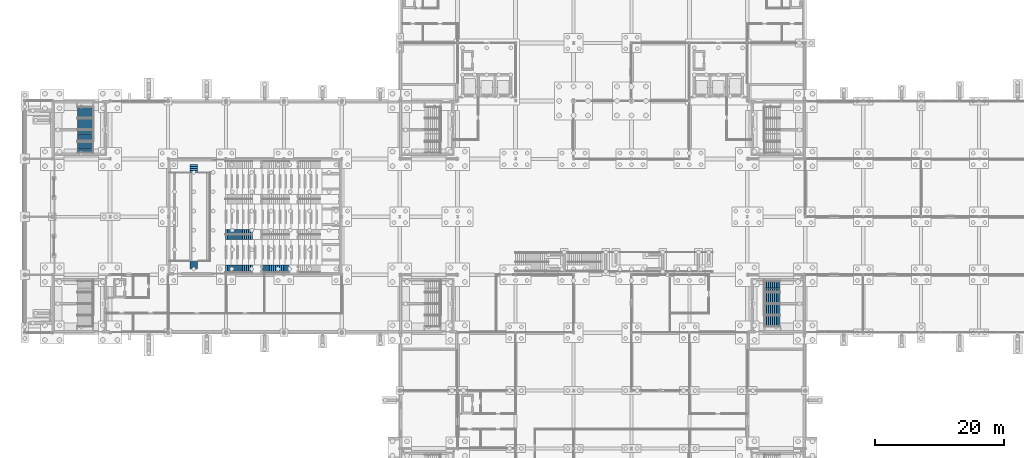
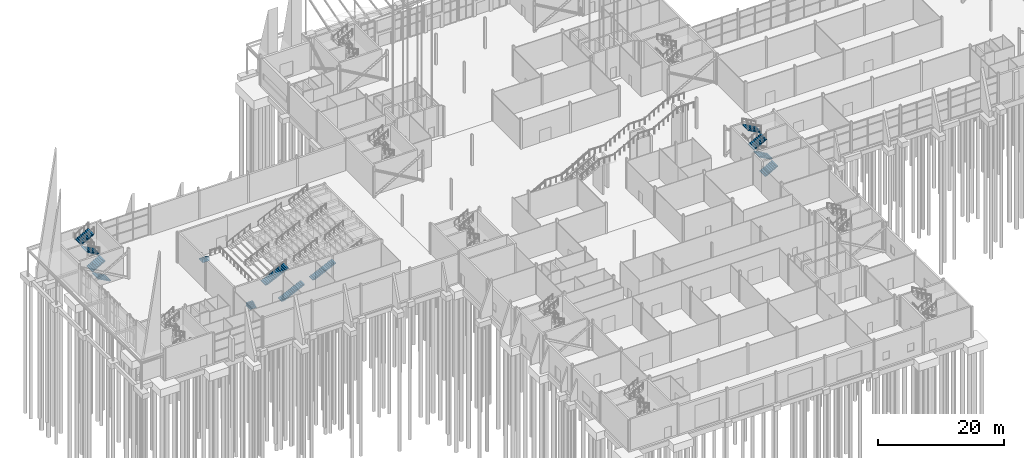
# One storey, part 116 of 139: 13 stair flights, 6 elements without a shape of their own.
"""IFC4 building model written with IfcOpenShell, lengths in metres."""

from ifc_helpers import new_model, si_unit, direction, frame, origin, place, context, subcontext, project, spatial, polyline, outline, extrude, material, type_object, element, aggregate, save


model = new_model("IFC4")

# Units and contexts
model_context = context("Model", 3, precision=1e-05, world=origin(), true_north=direction((0.0, 1.0)))
body_context = subcontext(model_context, "Body", "Model", "MODEL_VIEW")
ifc_project = project(units=[si_unit("LENGTHUNIT", "METRE"), si_unit("AREAUNIT", "SQUARE_METRE"), si_unit("VOLUMEUNIT", "CUBIC_METRE"), si_unit("PLANEANGLEUNIT", "RADIAN"), si_unit("MASSUNIT", "GRAM", prefix="KILO")], contexts=[model_context])

# Site, building, storey
site_placement = place(None, origin())
site = spatial("IfcSite", under=ifc_project, at=site_placement, CompositionType="ELEMENT")
building_placement = place(site_placement, origin())
building = spatial("IfcBuilding", under=site, at=building_placement, Name="Shorebreak Coast Museum", CompositionType="ELEMENT")
storey_placement = place(building_placement, origin())
storey = spatial("IfcBuildingStorey", under=building, at=storey_placement, Name="L00", CompositionType="ELEMENT", Elevation=0.0)

# Stair, stair flights
ifc_material_1 = material(Name="Concrete N40 (40 MPa)", Category="concrete")
stair_type_1 = type_object("IfcStairType", Name="Aisle stair 1200", PredefinedType="STRAIGHT_RUN_STAIR", material=ifc_material_1)
stair_1_placement = place(storey_placement, origin())
stair_1 = element("IfcStair", 1, at=stair_1_placement, inside=storey, type_object=stair_type_1, Name="Aisle stair 1", PredefinedType="STRAIGHT_RUN_STAIR")
ifc_material_2 = material(Name="Concrete N40 (40 MPa)", Category="concrete")
stair_flight_type_1 = type_object("IfcStairFlightType", Name="Aisle flight 1200 15 risers", PredefinedType="STRAIGHT", material=ifc_material_2)
stair_flight_1_placement = place(storey_placement, frame((26.89990234375, 63.89990234375, 0.0), z_axis=(0.0, 0.0, 1.0), x_axis=(1.0, 0.0, 0.0)))
stair_flight_1 = element("IfcStairFlight", 2, at=stair_flight_1_placement, type_object=stair_flight_type_1, Name="STA-1 flight 1", NumberOfRisers=15, NumberOfTreads=14, PredefinedType="STRAIGHT", RiserHeight=0.142857143, TreadLength=0.3, context=body_context, shape_type="SweptSolid", body=[
    extrude(outline(polyline([(0.0, 0.0), (0.0, 0.142822265625), (0.300048828125, 0.142822265625), (0.300048828125, 0.28564453125), (0.60009765625, 0.28564453125), (0.60009765625, 0.428466796875), (0.89990234375, 0.428466796875), (0.89990234375, 0.571533203125), (1.199951171875, 0.571533203125), (1.199951171875, 0.71435546875), (1.5, 0.71435546875), (1.5, 0.857177734375), (1.800048828125, 0.857177734375), (1.800048828125, 1.0), (2.10009765625, 1.0), (2.10009765625, 1.142822265625), (2.39990234375, 1.142822265625), (2.39990234375, 1.28564453125), (2.699951171875, 1.28564453125), (2.699951171875, 1.428466796875), (3.0, 1.428466796875), (3.0, 1.571533203125), (3.300048828125, 1.571533203125), (3.300048828125, 1.71435546875), (3.60009765625, 1.71435546875), (3.60009765625, 1.857177734375), (3.89990234375, 1.857177734375), (3.89990234375, 2.0), (4.199951171875, 2.0), (4.199951171875, 2.142822265625), (4.199951171875, 1.778564453125), (0.465087890625, 0.0), (0.0, 0.0)])), frame((0.0, 0.60009765625, 0.0), z_axis=(0.0, -1.0, 0.0), x_axis=(1.0, 0.0, 0.0)), (0.0, 0.0, 1.0), 1.199951171875),
])
stair_flight_2_placement = place(storey_placement, frame((32.60009765625, 63.89990234375, 2.142822265625), z_axis=(0.0, 0.0, 1.0), x_axis=(1.0, 0.0, 0.0)))
stair_flight_2 = element("IfcStairFlight", 3, at=stair_flight_2_placement, type_object=stair_flight_type_1, Name="STA-1 flight 2", NumberOfRisers=15, NumberOfTreads=14, PredefinedType="STRAIGHT", RiserHeight=0.142857143, TreadLength=0.3, context=body_context, shape_type="SweptSolid", body=[
    extrude(outline(polyline([(0.0, 0.0), (0.0, 0.142822265625), (0.300048828125, 0.142822265625), (0.300048828125, 0.28564453125), (0.60009765625, 0.28564453125), (0.60009765625, 0.428466796875), (0.89990234375, 0.428466796875), (0.89990234375, 0.571533203125), (1.199951171875, 0.571533203125), (1.199951171875, 0.71435546875), (1.5, 0.71435546875), (1.5, 0.857177734375), (1.800048828125, 0.857177734375), (1.800048828125, 1.0), (2.10009765625, 1.0), (2.10009765625, 1.142822265625), (2.39990234375, 1.142822265625), (2.39990234375, 1.28564453125), (2.699951171875, 1.28564453125), (2.699951171875, 1.428466796875), (3.0, 1.428466796875), (3.0, 1.571533203125), (3.300048828125, 1.571533203125), (3.300048828125, 1.71435546875), (3.60009765625, 1.71435546875), (3.60009765625, 1.857177734375), (3.89990234375, 1.857177734375), (3.89990234375, 2.0), (4.199951171875, 2.0), (4.199951171875, 2.142822265625), (4.199951171875, 1.778564453125), (0.465087890625, 0.0), (0.0, 0.0)])), frame((0.0, 0.60009765625, 0.0), z_axis=(0.0, -1.0, 0.0), x_axis=(1.0, 0.0, 0.0)), (0.0, 0.0, 1.0), 1.199951171875),
])
aggregate(stair_1, [stair_flight_1, stair_flight_2])

# Stair, stair flight
ifc_material_3 = material(Name="Concrete N40 (40 MPa)", Category="concrete")
stair_type_2 = type_object("IfcStairType", Name="Aisle stair 1500", PredefinedType="STRAIGHT_RUN_STAIR", material=ifc_material_3)
stair_2_placement = place(storey_placement, origin())
stair_2 = element("IfcStair", 4, at=stair_2_placement, inside=storey, type_object=stair_type_2, Name="Aisle stair 2", PredefinedType="STRAIGHT_RUN_STAIR")
ifc_material_4 = material(Name="Concrete N40 (40 MPa)", Category="concrete")
stair_flight_type_2 = type_object("IfcStairFlightType", Name="Aisle flight 1500 15 risers", PredefinedType="STRAIGHT", material=ifc_material_4)
stair_flight_3_placement = place(storey_placement, frame((26.89990234375, 69.25, 0.0), z_axis=(0.0, 0.0, 1.0), x_axis=(1.0, 0.0, 0.0)))
stair_flight_3 = element("IfcStairFlight", 5, at=stair_flight_3_placement, type_object=stair_flight_type_2, Name="STA-2 flight 1", NumberOfRisers=15, NumberOfTreads=14, PredefinedType="STRAIGHT", RiserHeight=0.142857143, TreadLength=0.3, context=body_context, shape_type="SweptSolid", body=[
    extrude(outline(polyline([(0.0, 0.0), (0.0, 0.142822265625), (0.300048828125, 0.142822265625), (0.300048828125, 0.28564453125), (0.60009765625, 0.28564453125), (0.60009765625, 0.428466796875), (0.89990234375, 0.428466796875), (0.89990234375, 0.571533203125), (1.199951171875, 0.571533203125), (1.199951171875, 0.71435546875), (1.5, 0.71435546875), (1.5, 0.857177734375), (1.800048828125, 0.857177734375), (1.800048828125, 1.0), (2.10009765625, 1.0), (2.10009765625, 1.142822265625), (2.39990234375, 1.142822265625), (2.39990234375, 1.28564453125), (2.699951171875, 1.28564453125), (2.699951171875, 1.428466796875), (3.0, 1.428466796875), (3.0, 1.571533203125), (3.300048828125, 1.571533203125), (3.300048828125, 1.71435546875), (3.60009765625, 1.71435546875), (3.60009765625, 1.857177734375), (3.89990234375, 1.857177734375), (3.89990234375, 2.0), (4.199951171875, 2.0), (4.199951171875, 2.142822265625), (4.199951171875, 1.778564453125), (0.465087890625, 0.0), (0.0, 0.0)])), frame((0.0, 0.75, 0.0), z_axis=(0.0, -1.0, 0.0), x_axis=(1.0, 0.0, 0.0)), (0.0, 0.0, 1.0), 1.5),
])
aggregate(stair_2, [stair_flight_3])

ifc_material_5 = material(Name="Concrete N40 (40 MPa)", Category="concrete")
stair_type_3 = type_object("IfcStairType", Name="Stage steps", PredefinedType="STRAIGHT_RUN_STAIR", material=ifc_material_5)
stair_3_placement = place(storey_placement, origin())
stair_3 = element("IfcStair", 6, at=stair_3_placement, inside=storey, type_object=stair_type_3, Name="Stage steps S", PredefinedType="STRAIGHT_RUN_STAIR")
ifc_material_6 = material(Name="Concrete N40 (40 MPa)", Category="concrete")
stair_flight_type_3 = type_object("IfcStairFlightType", Name="Stage step flight 5 risers", PredefinedType="STRAIGHT", material=ifc_material_6)
stair_flight_4_placement = place(storey_placement, frame((22.0, 63.89990234375, 0.0), z_axis=(0.0, 0.0, 1.0), x_axis=(0.0, 1.0, 0.0)))
stair_flight_4 = element("IfcStairFlight", 7, at=stair_flight_4_placement, type_object=stair_flight_type_3, Name="STS-S flight 1", NumberOfRisers=5, NumberOfTreads=4, PredefinedType="STRAIGHT", RiserHeight=0.18, TreadLength=0.3, context=body_context, shape_type="SweptSolid", body=[
    extrude(outline(polyline([(0.0, 0.0), (0.0, 0.179931640625), (0.300048828125, 0.179931640625), (0.300048828125, 0.360107421875), (0.60009765625, 0.360107421875), (0.60009765625, 0.5400390625), (0.89990234375, 0.5400390625), (0.89990234375, 0.719970703125), (1.199951171875, 0.719970703125), (1.199951171875, 0.0), (0.0, 0.0)])), frame((0.0, 0.60009765625, 0.0), z_axis=(0.0, -1.0, 0.0), x_axis=(1.0, 0.0, 0.0)), (0.0, 0.0, 1.0), 0.23193359375),
    extrude(outline(polyline([(0.0, 0.0), (0.0, 0.179931640625), (0.300048828125, 0.179931640625), (0.300048828125, 0.360107421875), (0.60009765625, 0.360107421875), (0.60009765625, 0.5400390625), (0.89990234375, 0.5400390625), (0.89990234375, 0.719970703125), (1.199951171875, 0.719970703125), (1.199951171875, 0.0), (0.0, 0.0)])), frame((0.0, 0.35791015625, 0.0), z_axis=(0.0, -1.0, 0.0), x_axis=(1.0, 0.0, 0.0)), (0.0, 0.0, 1.0), 0.23193359375),
    extrude(outline(polyline([(0.0, 0.0), (0.0, 0.179931640625), (0.300048828125, 0.179931640625), (0.300048828125, 0.360107421875), (0.60009765625, 0.360107421875), (0.60009765625, 0.5400390625), (0.89990234375, 0.5400390625), (0.89990234375, 0.719970703125), (1.199951171875, 0.719970703125), (1.199951171875, 0.0), (0.0, 0.0)])), frame((0.0, 0.115966796875, 0.0), z_axis=(0.0, -1.0, 0.0), x_axis=(1.0, 0.0, 0.0)), (0.0, 0.0, 1.0), 0.23193359375),
    extrude(outline(polyline([(0.0, 0.0), (0.0, 0.179931640625), (0.300048828125, 0.179931640625), (0.300048828125, 0.360107421875), (0.60009765625, 0.360107421875), (0.60009765625, 0.5400390625), (0.89990234375, 0.5400390625), (0.89990234375, 0.719970703125), (1.199951171875, 0.719970703125), (1.199951171875, 0.0), (0.0, 0.0)])), frame((0.0, -0.1259765625, 0.0), z_axis=(0.0, -1.0, 0.0), x_axis=(1.0, 0.0, 0.0)), (0.0, 0.0, 1.0), 0.23193359375),
    extrude(outline(polyline([(0.0, 0.0), (0.0, 0.179931640625), (0.300048828125, 0.179931640625), (0.300048828125, 0.360107421875), (0.60009765625, 0.360107421875), (0.60009765625, 0.5400390625), (0.89990234375, 0.5400390625), (0.89990234375, 0.719970703125), (1.199951171875, 0.719970703125), (1.199951171875, 0.0), (0.0, 0.0)])), frame((0.0, -0.367919921875, 0.0), z_axis=(0.0, -1.0, 0.0), x_axis=(1.0, 0.0, 0.0)), (0.0, 0.0, 1.0), 0.23193359375),
])
aggregate(stair_3, [stair_flight_4])

stair_4_placement = place(storey_placement, origin())
stair_4 = element("IfcStair", 8, at=stair_4_placement, inside=storey, type_object=stair_type_3, Name="Stage steps N", PredefinedType="STRAIGHT_RUN_STAIR")
stair_flight_5_placement = place(storey_placement, frame((22.0, 80.10009765625, 0.0), z_axis=(0.0, 0.0, 1.0), x_axis=(0.0, -1.0, 0.0)))
stair_flight_5 = element("IfcStairFlight", 9, at=stair_flight_5_placement, type_object=stair_flight_type_3, Name="STS-N flight 1", NumberOfRisers=5, NumberOfTreads=4, PredefinedType="STRAIGHT", RiserHeight=0.18, TreadLength=0.3, context=body_context, shape_type="SweptSolid", body=[
    extrude(outline(polyline([(0.0, 0.0), (0.0, 0.179931640625), (0.300048828125, 0.179931640625), (0.300048828125, 0.360107421875), (0.60009765625, 0.360107421875), (0.60009765625, 0.5400390625), (0.89990234375, 0.5400390625), (0.89990234375, 0.719970703125), (1.199951171875, 0.719970703125), (1.199951171875, 0.0), (0.0, 0.0)])), frame((0.0, 0.60009765625, 0.0), z_axis=(0.0, -1.0, 0.0), x_axis=(1.0, 0.0, 0.0)), (0.0, 0.0, 1.0), 0.23193359375),
    extrude(outline(polyline([(0.0, 0.0), (0.0, 0.179931640625), (0.300048828125, 0.179931640625), (0.300048828125, 0.360107421875), (0.60009765625, 0.360107421875), (0.60009765625, 0.5400390625), (0.89990234375, 0.5400390625), (0.89990234375, 0.719970703125), (1.199951171875, 0.719970703125), (1.199951171875, 0.0), (0.0, 0.0)])), frame((0.0, 0.35791015625, 0.0), z_axis=(0.0, -1.0, 0.0), x_axis=(1.0, 0.0, 0.0)), (0.0, 0.0, 1.0), 0.23193359375),
    extrude(outline(polyline([(0.0, 0.0), (0.0, 0.179931640625), (0.300048828125, 0.179931640625), (0.300048828125, 0.360107421875), (0.60009765625, 0.360107421875), (0.60009765625, 0.5400390625), (0.89990234375, 0.5400390625), (0.89990234375, 0.719970703125), (1.199951171875, 0.719970703125), (1.199951171875, 0.0), (0.0, 0.0)])), frame((0.0, 0.115966796875, 0.0), z_axis=(0.0, -1.0, 0.0), x_axis=(1.0, 0.0, 0.0)), (0.0, 0.0, 1.0), 0.23193359375),
    extrude(outline(polyline([(0.0, 0.0), (0.0, 0.179931640625), (0.300048828125, 0.179931640625), (0.300048828125, 0.360107421875), (0.60009765625, 0.360107421875), (0.60009765625, 0.5400390625), (0.89990234375, 0.5400390625), (0.89990234375, 0.719970703125), (1.199951171875, 0.719970703125), (1.199951171875, 0.0), (0.0, 0.0)])), frame((0.0, -0.1259765625, 0.0), z_axis=(0.0, -1.0, 0.0), x_axis=(1.0, 0.0, 0.0)), (0.0, 0.0, 1.0), 0.23193359375),
    extrude(outline(polyline([(0.0, 0.0), (0.0, 0.179931640625), (0.300048828125, 0.179931640625), (0.300048828125, 0.360107421875), (0.60009765625, 0.360107421875), (0.60009765625, 0.5400390625), (0.89990234375, 0.5400390625), (0.89990234375, 0.719970703125), (1.199951171875, 0.719970703125), (1.199951171875, 0.0), (0.0, 0.0)])), frame((0.0, -0.367919921875, 0.0), z_axis=(0.0, -1.0, 0.0), x_axis=(1.0, 0.0, 0.0)), (0.0, 0.0, 1.0), 0.23193359375),
])
aggregate(stair_4, [stair_flight_5])

# Stair, stair flights
ifc_material_7 = material(Name="Concrete N40 (40 MPa)", Category="concrete")
stair_type_4 = type_object("IfcStairType", Name="Stair run 6 m", PredefinedType="DOUBLE_RETURN_STAIR", material=ifc_material_7)
stair_5_placement = place(storey_placement, origin())
stair_5 = element("IfcStair", 10, at=stair_5_placement, inside=storey, type_object=stair_type_4, Name="Exit stair ST02-L00", PredefinedType="DOUBLE_RETURN_STAIR")
ifc_material_8 = material(Name="Concrete N40 (40 MPa)", Category="concrete")
stair_flight_type_4 = type_object("IfcStairFlightType", Name="Stair flight 9 risers 166.67", PredefinedType="STRAIGHT", material=ifc_material_8)
stair_flight_6_placement = place(storey_placement, frame((110.699951171875, 55.800048828125, 0.0), z_axis=(0.0, 0.0, 1.0), x_axis=(1.0, 0.0, 0.0)))
stair_flight_6 = element("IfcStairFlight", 11, at=stair_flight_6_placement, type_object=stair_flight_type_4, Name="ST02-L00 flight 1", NumberOfRisers=9, NumberOfTreads=8, PredefinedType="STRAIGHT", RiserHeight=0.166666667, TreadLength=0.3, context=body_context, shape_type="SweptSolid", body=[
    extrude(outline(polyline([(0.0, 0.0), (0.0, 0.166748046875), (0.300048828125, 0.166748046875), (0.300048828125, 0.333251953125), (0.60009765625, 0.333251953125), (0.60009765625, 0.5), (0.89990234375, 0.5), (0.89990234375, 0.666748046875), (1.199951171875, 0.666748046875), (1.199951171875, 0.833251953125), (1.5, 0.833251953125), (1.5, 1.0), (1.800048828125, 1.0), (1.800048828125, 1.166748046875), (2.10009765625, 1.166748046875), (2.10009765625, 1.333251953125), (2.39990234375, 1.333251953125), (2.39990234375, 1.5), (2.39990234375, 1.161865234375), (0.30859375, 0.0), (0.0, 0.0)])), frame((0.0, 0.89990234375, 0.0), z_axis=(0.0, -1.0, 0.0), x_axis=(1.0, 0.0, 0.0)), (0.0, 0.0, 1.0), 0.59326171875),
    extrude(outline(polyline([(0.0, 0.0), (0.0, 0.166748046875), (0.300048828125, 0.166748046875), (0.300048828125, 0.333251953125), (0.60009765625, 0.333251953125), (0.60009765625, 0.5), (0.89990234375, 0.5), (0.89990234375, 0.666748046875), (1.199951171875, 0.666748046875), (1.199951171875, 0.833251953125), (1.5, 0.833251953125), (1.5, 1.0), (1.800048828125, 1.0), (1.800048828125, 1.166748046875), (2.10009765625, 1.166748046875), (2.10009765625, 1.333251953125), (2.39990234375, 1.333251953125), (2.39990234375, 1.5), (2.39990234375, 1.161865234375), (0.30859375, 0.0), (0.0, 0.0)])), frame((0.0, 0.296630859375, 0.0), z_axis=(0.0, -1.0, 0.0), x_axis=(1.0, 0.0, 0.0)), (0.0, 0.0, 1.0), 0.59326171875),
    extrude(outline(polyline([(0.0, 0.0), (0.0, 0.166748046875), (0.300048828125, 0.166748046875), (0.300048828125, 0.333251953125), (0.60009765625, 0.333251953125), (0.60009765625, 0.5), (0.89990234375, 0.5), (0.89990234375, 0.666748046875), (1.199951171875, 0.666748046875), (1.199951171875, 0.833251953125), (1.5, 0.833251953125), (1.5, 1.0), (1.800048828125, 1.0), (1.800048828125, 1.166748046875), (2.10009765625, 1.166748046875), (2.10009765625, 1.333251953125), (2.39990234375, 1.333251953125), (2.39990234375, 1.5), (2.39990234375, 1.161865234375), (0.30859375, 0.0), (0.0, 0.0)])), frame((0.0, -0.306640625, 0.0), z_axis=(0.0, -1.0, 0.0), x_axis=(1.0, 0.0, 0.0)), (0.0, 0.0, 1.0), 0.59326171875),
])
stair_flight_7_placement = place(storey_placement, frame((113.10009765625, 57.60009765625, 1.5), z_axis=(0.0, 0.0, 1.0), x_axis=(-1.0, 0.0, 0.0)))
stair_flight_7 = element("IfcStairFlight", 12, at=stair_flight_7_placement, type_object=stair_flight_type_4, Name="ST02-L00 flight 2", NumberOfRisers=9, NumberOfTreads=8, PredefinedType="STRAIGHT", RiserHeight=0.166666667, TreadLength=0.3, context=body_context, shape_type="SweptSolid", body=[
    extrude(outline(polyline([(0.0, 0.0), (0.0, 0.166748046875), (0.300048828125, 0.166748046875), (0.300048828125, 0.333251953125), (0.60009765625, 0.333251953125), (0.60009765625, 0.5), (0.89990234375, 0.5), (0.89990234375, 0.666748046875), (1.199951171875, 0.666748046875), (1.199951171875, 0.833251953125), (1.5, 0.833251953125), (1.5, 1.0), (1.800048828125, 1.0), (1.800048828125, 1.166748046875), (2.10009765625, 1.166748046875), (2.10009765625, 1.333251953125), (2.39990234375, 1.333251953125), (2.39990234375, 1.5), (2.39990234375, 1.161865234375), (0.30859375, 0.0), (0.0, 0.0)])), frame((0.0, 0.89990234375, 0.0), z_axis=(0.0, -1.0, 0.0), x_axis=(1.0, 0.0, 0.0)), (0.0, 0.0, 1.0), 0.59326171875),
    extrude(outline(polyline([(0.0, 0.0), (0.0, 0.166748046875), (0.300048828125, 0.166748046875), (0.300048828125, 0.333251953125), (0.60009765625, 0.333251953125), (0.60009765625, 0.5), (0.89990234375, 0.5), (0.89990234375, 0.666748046875), (1.199951171875, 0.666748046875), (1.199951171875, 0.833251953125), (1.5, 0.833251953125), (1.5, 1.0), (1.800048828125, 1.0), (1.800048828125, 1.166748046875), (2.10009765625, 1.166748046875), (2.10009765625, 1.333251953125), (2.39990234375, 1.333251953125), (2.39990234375, 1.5), (2.39990234375, 1.161865234375), (0.30859375, 0.0), (0.0, 0.0)])), frame((0.0, 0.296630859375, 0.0), z_axis=(0.0, -1.0, 0.0), x_axis=(1.0, 0.0, 0.0)), (0.0, 0.0, 1.0), 0.59326171875),
    extrude(outline(polyline([(0.0, 0.0), (0.0, 0.166748046875), (0.300048828125, 0.166748046875), (0.300048828125, 0.333251953125), (0.60009765625, 0.333251953125), (0.60009765625, 0.5), (0.89990234375, 0.5), (0.89990234375, 0.666748046875), (1.199951171875, 0.666748046875), (1.199951171875, 0.833251953125), (1.5, 0.833251953125), (1.5, 1.0), (1.800048828125, 1.0), (1.800048828125, 1.166748046875), (2.10009765625, 1.166748046875), (2.10009765625, 1.333251953125), (2.39990234375, 1.333251953125), (2.39990234375, 1.5), (2.39990234375, 1.161865234375), (0.30859375, 0.0), (0.0, 0.0)])), frame((0.0, -0.306640625, 0.0), z_axis=(0.0, -1.0, 0.0), x_axis=(1.0, 0.0, 0.0)), (0.0, 0.0, 1.0), 0.59326171875),
])
stair_flight_8_placement = place(storey_placement, frame((110.699951171875, 59.39990234375, 3.0), z_axis=(0.0, 0.0, 1.0), x_axis=(1.0, 0.0, 0.0)))
stair_flight_8 = element("IfcStairFlight", 13, at=stair_flight_8_placement, type_object=stair_flight_type_4, Name="ST02-L00 flight 3", NumberOfRisers=9, NumberOfTreads=8, PredefinedType="STRAIGHT", RiserHeight=0.166666667, TreadLength=0.3, context=body_context, shape_type="SweptSolid", body=[
    extrude(outline(polyline([(0.0, 0.0), (0.0, 0.166748046875), (0.300048828125, 0.166748046875), (0.300048828125, 0.333251953125), (0.60009765625, 0.333251953125), (0.60009765625, 0.5), (0.89990234375, 0.5), (0.89990234375, 0.666748046875), (1.199951171875, 0.666748046875), (1.199951171875, 0.833251953125), (1.5, 0.833251953125), (1.5, 1.0), (1.800048828125, 1.0), (1.800048828125, 1.166748046875), (2.10009765625, 1.166748046875), (2.10009765625, 1.333251953125), (2.39990234375, 1.333251953125), (2.39990234375, 1.5), (2.39990234375, 1.161865234375), (0.30859375, 0.0), (0.0, 0.0)])), frame((0.0, 0.89990234375, 0.0), z_axis=(0.0, -1.0, 0.0), x_axis=(1.0, 0.0, 0.0)), (0.0, 0.0, 1.0), 0.59326171875),
    extrude(outline(polyline([(0.0, 0.0), (0.0, 0.166748046875), (0.300048828125, 0.166748046875), (0.300048828125, 0.333251953125), (0.60009765625, 0.333251953125), (0.60009765625, 0.5), (0.89990234375, 0.5), (0.89990234375, 0.666748046875), (1.199951171875, 0.666748046875), (1.199951171875, 0.833251953125), (1.5, 0.833251953125), (1.5, 1.0), (1.800048828125, 1.0), (1.800048828125, 1.166748046875), (2.10009765625, 1.166748046875), (2.10009765625, 1.333251953125), (2.39990234375, 1.333251953125), (2.39990234375, 1.5), (2.39990234375, 1.161865234375), (0.30859375, 0.0), (0.0, 0.0)])), frame((0.0, 0.296630859375, 0.0), z_axis=(0.0, -1.0, 0.0), x_axis=(1.0, 0.0, 0.0)), (0.0, 0.0, 1.0), 0.59326171875),
    extrude(outline(polyline([(0.0, 0.0), (0.0, 0.166748046875), (0.300048828125, 0.166748046875), (0.300048828125, 0.333251953125), (0.60009765625, 0.333251953125), (0.60009765625, 0.5), (0.89990234375, 0.5), (0.89990234375, 0.666748046875), (1.199951171875, 0.666748046875), (1.199951171875, 0.833251953125), (1.5, 0.833251953125), (1.5, 1.0), (1.800048828125, 1.0), (1.800048828125, 1.166748046875), (2.10009765625, 1.166748046875), (2.10009765625, 1.333251953125), (2.39990234375, 1.333251953125), (2.39990234375, 1.5), (2.39990234375, 1.161865234375), (0.30859375, 0.0), (0.0, 0.0)])), frame((0.0, -0.306640625, 0.0), z_axis=(0.0, -1.0, 0.0), x_axis=(1.0, 0.0, 0.0)), (0.0, 0.0, 1.0), 0.59326171875),
])
stair_flight_9_placement = place(storey_placement, frame((113.10009765625, 61.199951171875, 4.5), z_axis=(0.0, 0.0, 1.0), x_axis=(-1.0, 0.0, 0.0)))
stair_flight_9 = element("IfcStairFlight", 14, at=stair_flight_9_placement, type_object=stair_flight_type_4, Name="ST02-L00 flight 4", NumberOfRisers=9, NumberOfTreads=8, PredefinedType="STRAIGHT", RiserHeight=0.166666667, TreadLength=0.3, context=body_context, shape_type="SweptSolid", body=[
    extrude(outline(polyline([(0.0, 0.0), (0.0, 0.166748046875), (0.300048828125, 0.166748046875), (0.300048828125, 0.333251953125), (0.60009765625, 0.333251953125), (0.60009765625, 0.5), (0.89990234375, 0.5), (0.89990234375, 0.666748046875), (1.199951171875, 0.666748046875), (1.199951171875, 0.833251953125), (1.5, 0.833251953125), (1.5, 1.0), (1.800048828125, 1.0), (1.800048828125, 1.166748046875), (2.10009765625, 1.166748046875), (2.10009765625, 1.333251953125), (2.39990234375, 1.333251953125), (2.39990234375, 1.5), (2.39990234375, 1.161865234375), (0.30859375, 0.0), (0.0, 0.0)])), frame((0.0, 0.89990234375, 0.0), z_axis=(0.0, -1.0, 0.0), x_axis=(1.0, 0.0, 0.0)), (0.0, 0.0, 1.0), 0.59326171875),
    extrude(outline(polyline([(0.0, 0.0), (0.0, 0.166748046875), (0.300048828125, 0.166748046875), (0.300048828125, 0.333251953125), (0.60009765625, 0.333251953125), (0.60009765625, 0.5), (0.89990234375, 0.5), (0.89990234375, 0.666748046875), (1.199951171875, 0.666748046875), (1.199951171875, 0.833251953125), (1.5, 0.833251953125), (1.5, 1.0), (1.800048828125, 1.0), (1.800048828125, 1.166748046875), (2.10009765625, 1.166748046875), (2.10009765625, 1.333251953125), (2.39990234375, 1.333251953125), (2.39990234375, 1.5), (2.39990234375, 1.161865234375), (0.30859375, 0.0), (0.0, 0.0)])), frame((0.0, 0.296630859375, 0.0), z_axis=(0.0, -1.0, 0.0), x_axis=(1.0, 0.0, 0.0)), (0.0, 0.0, 1.0), 0.59326171875),
    extrude(outline(polyline([(0.0, 0.0), (0.0, 0.166748046875), (0.300048828125, 0.166748046875), (0.300048828125, 0.333251953125), (0.60009765625, 0.333251953125), (0.60009765625, 0.5), (0.89990234375, 0.5), (0.89990234375, 0.666748046875), (1.199951171875, 0.666748046875), (1.199951171875, 0.833251953125), (1.5, 0.833251953125), (1.5, 1.0), (1.800048828125, 1.0), (1.800048828125, 1.166748046875), (2.10009765625, 1.166748046875), (2.10009765625, 1.333251953125), (2.39990234375, 1.333251953125), (2.39990234375, 1.5), (2.39990234375, 1.161865234375), (0.30859375, 0.0), (0.0, 0.0)])), frame((0.0, -0.306640625, 0.0), z_axis=(0.0, -1.0, 0.0), x_axis=(1.0, 0.0, 0.0)), (0.0, 0.0, 1.0), 0.59326171875),
])
aggregate(stair_5, [stair_flight_6, stair_flight_7, stair_flight_8, stair_flight_9])

stair_6_placement = place(storey_placement, origin())
stair_6 = element("IfcStair", 15, at=stair_6_placement, inside=storey, type_object=stair_type_4, Name="Exit stair ST06-L00", PredefinedType="DOUBLE_RETURN_STAIR")
stair_flight_10_placement = place(storey_placement, frame((6.300048828125, 82.800048828125, 0.0), z_axis=(0.0, 0.0, 1.0), x_axis=(-1.0, 0.0, 0.0)))
stair_flight_10 = element("IfcStairFlight", 16, at=stair_flight_10_placement, type_object=stair_flight_type_4, Name="ST06-L00 flight 1", NumberOfRisers=9, NumberOfTreads=8, PredefinedType="STRAIGHT", RiserHeight=0.166666667, TreadLength=0.3, context=body_context, shape_type="SweptSolid", body=[
    extrude(outline(polyline([(0.0, 0.0), (0.0, 0.166748046875), (0.300048828125, 0.166748046875), (0.300048828125, 0.333251953125), (0.60009765625, 0.333251953125), (0.60009765625, 0.5), (0.89990234375, 0.5), (0.89990234375, 0.666748046875), (1.199951171875, 0.666748046875), (1.199951171875, 0.833251953125), (1.5, 0.833251953125), (1.5, 1.0), (1.800048828125, 1.0), (1.800048828125, 1.166748046875), (2.10009765625, 1.166748046875), (2.10009765625, 1.333251953125), (2.39990234375, 1.333251953125), (2.39990234375, 1.5), (2.39990234375, 1.161865234375), (0.30859375, 0.0), (0.0, 0.0)])), frame((0.0, 0.89990234375, 0.0), z_axis=(0.0, -1.0, 0.0), x_axis=(1.0, 0.0, 0.0)), (0.0, 0.0, 1.0), 0.59326171875),
    extrude(outline(polyline([(0.0, 0.0), (0.0, 0.166748046875), (0.300048828125, 0.166748046875), (0.300048828125, 0.333251953125), (0.60009765625, 0.333251953125), (0.60009765625, 0.5), (0.89990234375, 0.5), (0.89990234375, 0.666748046875), (1.199951171875, 0.666748046875), (1.199951171875, 0.833251953125), (1.5, 0.833251953125), (1.5, 1.0), (1.800048828125, 1.0), (1.800048828125, 1.166748046875), (2.10009765625, 1.166748046875), (2.10009765625, 1.333251953125), (2.39990234375, 1.333251953125), (2.39990234375, 1.5), (2.39990234375, 1.161865234375), (0.30859375, 0.0), (0.0, 0.0)])), frame((0.0, 0.296630859375, 0.0), z_axis=(0.0, -1.0, 0.0), x_axis=(1.0, 0.0, 0.0)), (0.0, 0.0, 1.0), 0.59326171875),
    extrude(outline(polyline([(0.0, 0.0), (0.0, 0.166748046875), (0.300048828125, 0.166748046875), (0.300048828125, 0.333251953125), (0.60009765625, 0.333251953125), (0.60009765625, 0.5), (0.89990234375, 0.5), (0.89990234375, 0.666748046875), (1.199951171875, 0.666748046875), (1.199951171875, 0.833251953125), (1.5, 0.833251953125), (1.5, 1.0), (1.800048828125, 1.0), (1.800048828125, 1.166748046875), (2.10009765625, 1.166748046875), (2.10009765625, 1.333251953125), (2.39990234375, 1.333251953125), (2.39990234375, 1.5), (2.39990234375, 1.161865234375), (0.30859375, 0.0), (0.0, 0.0)])), frame((0.0, -0.306640625, 0.0), z_axis=(0.0, -1.0, 0.0), x_axis=(1.0, 0.0, 0.0)), (0.0, 0.0, 1.0), 0.59326171875),
])
stair_flight_11_placement = place(storey_placement, frame((3.89990234375, 84.60009765625, 1.5), z_axis=(0.0, 0.0, 1.0), x_axis=(1.0, 0.0, 0.0)))
stair_flight_11 = element("IfcStairFlight", 17, at=stair_flight_11_placement, type_object=stair_flight_type_4, Name="ST06-L00 flight 2", NumberOfRisers=9, NumberOfTreads=8, PredefinedType="STRAIGHT", RiserHeight=0.166666667, TreadLength=0.3, context=body_context, shape_type="SweptSolid", body=[
    extrude(outline(polyline([(0.0, 0.0), (0.0, 0.166748046875), (0.300048828125, 0.166748046875), (0.300048828125, 0.333251953125), (0.60009765625, 0.333251953125), (0.60009765625, 0.5), (0.89990234375, 0.5), (0.89990234375, 0.666748046875), (1.199951171875, 0.666748046875), (1.199951171875, 0.833251953125), (1.5, 0.833251953125), (1.5, 1.0), (1.800048828125, 1.0), (1.800048828125, 1.166748046875), (2.10009765625, 1.166748046875), (2.10009765625, 1.333251953125), (2.39990234375, 1.333251953125), (2.39990234375, 1.5), (2.39990234375, 1.161865234375), (0.30859375, 0.0), (0.0, 0.0)])), frame((0.0, 0.89990234375, 0.0), z_axis=(0.0, -1.0, 0.0), x_axis=(1.0, 0.0, 0.0)), (0.0, 0.0, 1.0), 0.59326171875),
    extrude(outline(polyline([(0.0, 0.0), (0.0, 0.166748046875), (0.300048828125, 0.166748046875), (0.300048828125, 0.333251953125), (0.60009765625, 0.333251953125), (0.60009765625, 0.5), (0.89990234375, 0.5), (0.89990234375, 0.666748046875), (1.199951171875, 0.666748046875), (1.199951171875, 0.833251953125), (1.5, 0.833251953125), (1.5, 1.0), (1.800048828125, 1.0), (1.800048828125, 1.166748046875), (2.10009765625, 1.166748046875), (2.10009765625, 1.333251953125), (2.39990234375, 1.333251953125), (2.39990234375, 1.5), (2.39990234375, 1.161865234375), (0.30859375, 0.0), (0.0, 0.0)])), frame((0.0, 0.296630859375, 0.0), z_axis=(0.0, -1.0, 0.0), x_axis=(1.0, 0.0, 0.0)), (0.0, 0.0, 1.0), 0.59326171875),
    extrude(outline(polyline([(0.0, 0.0), (0.0, 0.166748046875), (0.300048828125, 0.166748046875), (0.300048828125, 0.333251953125), (0.60009765625, 0.333251953125), (0.60009765625, 0.5), (0.89990234375, 0.5), (0.89990234375, 0.666748046875), (1.199951171875, 0.666748046875), (1.199951171875, 0.833251953125), (1.5, 0.833251953125), (1.5, 1.0), (1.800048828125, 1.0), (1.800048828125, 1.166748046875), (2.10009765625, 1.166748046875), (2.10009765625, 1.333251953125), (2.39990234375, 1.333251953125), (2.39990234375, 1.5), (2.39990234375, 1.161865234375), (0.30859375, 0.0), (0.0, 0.0)])), frame((0.0, -0.306640625, 0.0), z_axis=(0.0, -1.0, 0.0), x_axis=(1.0, 0.0, 0.0)), (0.0, 0.0, 1.0), 0.59326171875),
])
stair_flight_12_placement = place(storey_placement, frame((6.300048828125, 86.39990234375, 3.0), z_axis=(0.0, 0.0, 1.0), x_axis=(-1.0, 0.0, 0.0)))
stair_flight_12 = element("IfcStairFlight", 18, at=stair_flight_12_placement, type_object=stair_flight_type_4, Name="ST06-L00 flight 3", NumberOfRisers=9, NumberOfTreads=8, PredefinedType="STRAIGHT", RiserHeight=0.166666667, TreadLength=0.3, context=body_context, shape_type="SweptSolid", body=[
    extrude(outline(polyline([(0.0, 0.0), (0.0, 0.166748046875), (0.300048828125, 0.166748046875), (0.300048828125, 0.333251953125), (0.60009765625, 0.333251953125), (0.60009765625, 0.5), (0.89990234375, 0.5), (0.89990234375, 0.666748046875), (1.199951171875, 0.666748046875), (1.199951171875, 0.833251953125), (1.5, 0.833251953125), (1.5, 1.0), (1.800048828125, 1.0), (1.800048828125, 1.166748046875), (2.10009765625, 1.166748046875), (2.10009765625, 1.333251953125), (2.39990234375, 1.333251953125), (2.39990234375, 1.5), (2.39990234375, 1.161865234375), (0.30859375, 0.0), (0.0, 0.0)])), frame((0.0, 0.89990234375, 0.0), z_axis=(0.0, -1.0, 0.0), x_axis=(1.0, 0.0, 0.0)), (0.0, 0.0, 1.0), 0.59326171875),
    extrude(outline(polyline([(0.0, 0.0), (0.0, 0.166748046875), (0.300048828125, 0.166748046875), (0.300048828125, 0.333251953125), (0.60009765625, 0.333251953125), (0.60009765625, 0.5), (0.89990234375, 0.5), (0.89990234375, 0.666748046875), (1.199951171875, 0.666748046875), (1.199951171875, 0.833251953125), (1.5, 0.833251953125), (1.5, 1.0), (1.800048828125, 1.0), (1.800048828125, 1.166748046875), (2.10009765625, 1.166748046875), (2.10009765625, 1.333251953125), (2.39990234375, 1.333251953125), (2.39990234375, 1.5), (2.39990234375, 1.161865234375), (0.30859375, 0.0), (0.0, 0.0)])), frame((0.0, 0.296630859375, 0.0), z_axis=(0.0, -1.0, 0.0), x_axis=(1.0, 0.0, 0.0)), (0.0, 0.0, 1.0), 0.59326171875),
    extrude(outline(polyline([(0.0, 0.0), (0.0, 0.166748046875), (0.300048828125, 0.166748046875), (0.300048828125, 0.333251953125), (0.60009765625, 0.333251953125), (0.60009765625, 0.5), (0.89990234375, 0.5), (0.89990234375, 0.666748046875), (1.199951171875, 0.666748046875), (1.199951171875, 0.833251953125), (1.5, 0.833251953125), (1.5, 1.0), (1.800048828125, 1.0), (1.800048828125, 1.166748046875), (2.10009765625, 1.166748046875), (2.10009765625, 1.333251953125), (2.39990234375, 1.333251953125), (2.39990234375, 1.5), (2.39990234375, 1.161865234375), (0.30859375, 0.0), (0.0, 0.0)])), frame((0.0, -0.306640625, 0.0), z_axis=(0.0, -1.0, 0.0), x_axis=(1.0, 0.0, 0.0)), (0.0, 0.0, 1.0), 0.59326171875),
])
stair_flight_13_placement = place(storey_placement, frame((3.89990234375, 88.199951171875, 4.5), z_axis=(0.0, 0.0, 1.0), x_axis=(1.0, 0.0, 0.0)))
stair_flight_13 = element("IfcStairFlight", 19, at=stair_flight_13_placement, type_object=stair_flight_type_4, Name="ST06-L00 flight 4", NumberOfRisers=9, NumberOfTreads=8, PredefinedType="STRAIGHT", RiserHeight=0.166666667, TreadLength=0.3, context=body_context, shape_type="SweptSolid", body=[
    extrude(outline(polyline([(0.0, 0.0), (0.0, 0.166748046875), (0.300048828125, 0.166748046875), (0.300048828125, 0.333251953125), (0.60009765625, 0.333251953125), (0.60009765625, 0.5), (0.89990234375, 0.5), (0.89990234375, 0.666748046875), (1.199951171875, 0.666748046875), (1.199951171875, 0.833251953125), (1.5, 0.833251953125), (1.5, 1.0), (1.800048828125, 1.0), (1.800048828125, 1.166748046875), (2.10009765625, 1.166748046875), (2.10009765625, 1.333251953125), (2.39990234375, 1.333251953125), (2.39990234375, 1.5), (2.39990234375, 1.161865234375), (0.30859375, 0.0), (0.0, 0.0)])), frame((0.0, 0.89990234375, 0.0), z_axis=(0.0, -1.0, 0.0), x_axis=(1.0, 0.0, 0.0)), (0.0, 0.0, 1.0), 0.59326171875),
    extrude(outline(polyline([(0.0, 0.0), (0.0, 0.166748046875), (0.300048828125, 0.166748046875), (0.300048828125, 0.333251953125), (0.60009765625, 0.333251953125), (0.60009765625, 0.5), (0.89990234375, 0.5), (0.89990234375, 0.666748046875), (1.199951171875, 0.666748046875), (1.199951171875, 0.833251953125), (1.5, 0.833251953125), (1.5, 1.0), (1.800048828125, 1.0), (1.800048828125, 1.166748046875), (2.10009765625, 1.166748046875), (2.10009765625, 1.333251953125), (2.39990234375, 1.333251953125), (2.39990234375, 1.5), (2.39990234375, 1.161865234375), (0.30859375, 0.0), (0.0, 0.0)])), frame((0.0, 0.296630859375, 0.0), z_axis=(0.0, -1.0, 0.0), x_axis=(1.0, 0.0, 0.0)), (0.0, 0.0, 1.0), 0.59326171875),
    extrude(outline(polyline([(0.0, 0.0), (0.0, 0.166748046875), (0.300048828125, 0.166748046875), (0.300048828125, 0.333251953125), (0.60009765625, 0.333251953125), (0.60009765625, 0.5), (0.89990234375, 0.5), (0.89990234375, 0.666748046875), (1.199951171875, 0.666748046875), (1.199951171875, 0.833251953125), (1.5, 0.833251953125), (1.5, 1.0), (1.800048828125, 1.0), (1.800048828125, 1.166748046875), (2.10009765625, 1.166748046875), (2.10009765625, 1.333251953125), (2.39990234375, 1.333251953125), (2.39990234375, 1.5), (2.39990234375, 1.161865234375), (0.30859375, 0.0), (0.0, 0.0)])), frame((0.0, -0.306640625, 0.0), z_axis=(0.0, -1.0, 0.0), x_axis=(1.0, 0.0, 0.0)), (0.0, 0.0, 1.0), 0.59326171875),
])
aggregate(stair_6, [stair_flight_10, stair_flight_11, stair_flight_12, stair_flight_13])

save(model, "model.ifc")
